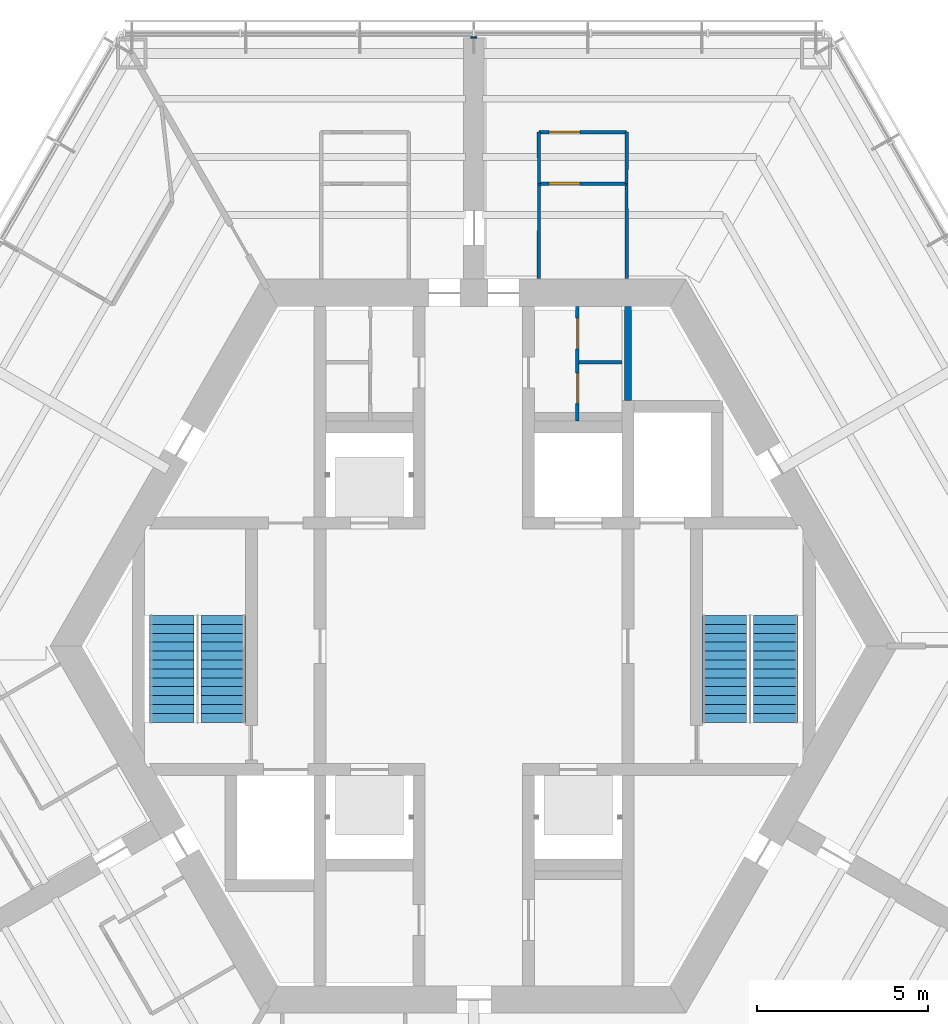
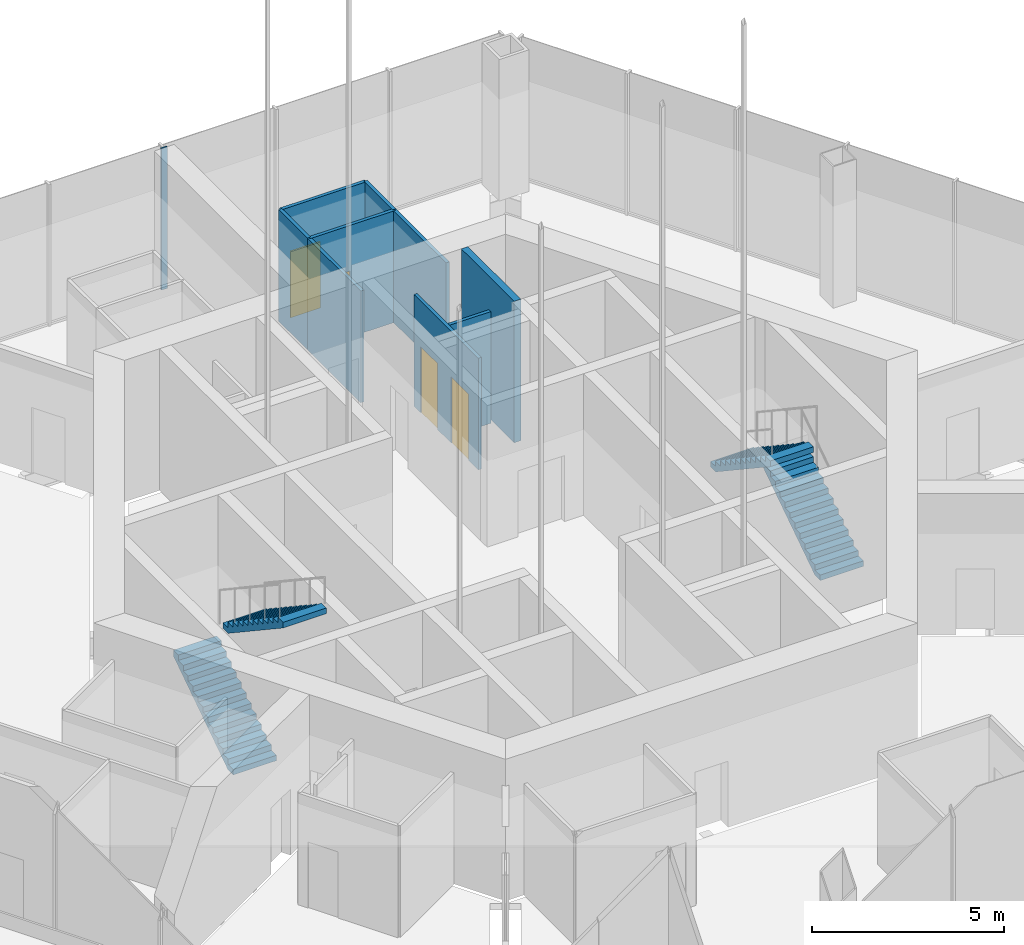
# One storey, part 12 of 17: 10 walls, 4 doors, 4 stair flights, 4 openings, 2 elements without a shape of their own.
"""IFC4 building model written with IfcOpenShell, lengths in metres."""

from ifc_helpers import new_model, si_unit, direction, frame, frame_2d, origin, place, context, subcontext, project, spatial, polyline, rectangle, outline, extrude, material, layer, layer_set, type_object, element, fill, aggregate, save


model = new_model("IFC4")

# Units and contexts
model_context = context("Model", 3, precision=1e-05, world=origin(), true_north=direction((0.0, 1.0)))
body_context = subcontext(model_context, "Body", "Model", "MODEL_VIEW")
ifc_project = project(units=[si_unit("LENGTHUNIT", "METRE"), si_unit("AREAUNIT", "SQUARE_METRE"), si_unit("VOLUMEUNIT", "CUBIC_METRE"), si_unit("PLANEANGLEUNIT", "RADIAN"), si_unit("MASSUNIT", "GRAM", prefix="KILO")], contexts=[model_context])

# Site, building, storey
site_placement = place(None, origin())
site = spatial("IfcSite", under=ifc_project, at=site_placement, CompositionType="ELEMENT")
building_placement = place(site_placement, origin())
building = spatial("IfcBuilding", under=site, at=building_placement, Name="Kasaneha Research Tower", CompositionType="ELEMENT")
storey_placement = place(building_placement, frame((0.0, 0.0, 208.300048828125)))
storey = spatial("IfcBuildingStorey", under=building, at=storey_placement, Name="L52", CompositionType="ELEMENT", Elevation=208.300048828125)

# Wall, openings, doors
ifc_material_1 = material(Name="Gypsum board on steel studs, one layer each side", Category="steel")
ifc_layer_1 = layer(ifc_material_1, 0.10009765625)
ifc_layer_set_1 = layer_set([ifc_layer_1], Name="Office partition 100")
wall_type_1 = type_object("IfcWallType", Name="Office partition 100", PredefinedType="PARTITIONING", material=ifc_layer_set_1)
wall_1_placement = place(storey_placement, frame((3.02490234375, 6.574951171875, 0.0), z_axis=(0.0, 0.0, 1.0), x_axis=(0.0, 1.0, 0.0)))
wall_1 = element("IfcWall", 1, at=wall_1_placement, inside=storey, type_object=wall_type_1, Name="Office partition TBF1 L52", PredefinedType="PARTITIONING", context=body_context, shape_type="SweptSolid", body=[
    extrude(rectangle(XDim=3.35009765625, YDim=0.10009765625, at=frame_2d((1.675048828125, 0.0))), origin(), (0.0, 0.0, 1.0), 3.550048828125),
])
opening_1_placement = place(wall_1_placement, frame((0.512451171875, 0.0, 0.0)))
opening_1 = element("IfcOpeningElement", 2, at=opening_1_placement, cuts=wall_1, Name="Opening L52-D22", PredefinedType="OPENING", context=body_context, shape_type="SweptSolid", body=[
    extrude(rectangle(XDim=0.89990234375, YDim=2.10009765625, at=frame_2d((0.449951171875, 1.050048828125))), frame((0.0, 0.06005859375, 0.0), z_axis=(0.0, -1.0, 0.0), x_axis=(1.0, 0.0, 0.0)), (0.0, 0.0, 1.0), 0.1201171875),
])
opening_2_placement = place(wall_1_placement, frame((2.112548828125, 0.0, 0.0)))
opening_2 = element("IfcOpeningElement", 3, at=opening_2_placement, cuts=wall_1, Name="Opening L52-D23", PredefinedType="OPENING", context=body_context, shape_type="SweptSolid", body=[
    extrude(rectangle(XDim=0.89990234375, YDim=2.10009765625, at=frame_2d((0.449951171875, 1.050048828125))), frame((0.0, 0.06005859375, 0.0), z_axis=(0.0, -1.0, 0.0), x_axis=(1.0, 0.0, 0.0)), (0.0, 0.0, 1.0), 0.1201171875),
])
ifc_material_2 = material(Name="Steel", Category="steel")
door_type = type_object("IfcDoorType", Name="Toilet lobby door FD30 900x2100", OperationType="NOTDEFINED", PredefinedType="DOOR", material=ifc_material_2)
door_1_placement = place(opening_1_placement, origin())
door_1 = element("IfcDoor", 4, at=door_1_placement, inside=storey, type_object=door_type, Name="Women's WC door L52-D22", OperationType="SINGLE_SWING_RIGHT", OverallHeight=2.10009765625, OverallWidth=0.89990234375, PredefinedType="DOOR", context=body_context, shape_type="SweptSolid", body=[
    extrude(rectangle(XDim=0.89990234375, YDim=2.10009765625, at=frame_2d((0.449951171875, 1.050048828125))), frame((0.0, 0.02490234375, 0.0), z_axis=(0.0, -1.0, 0.0), x_axis=(1.0, 0.0, 0.0)), (0.0, 0.0, 1.0), 0.050048828125),
])
fill(opening_1, door_1)
door_2_placement = place(opening_2_placement, origin())
door_2 = element("IfcDoor", 5, at=door_2_placement, inside=storey, type_object=door_type, Name="Staff WC door L52-D23", OperationType="SINGLE_SWING_RIGHT", OverallHeight=2.10009765625, OverallWidth=0.89990234375, PredefinedType="DOOR", context=body_context, shape_type="SweptSolid", body=[
    extrude(rectangle(XDim=0.89990234375, YDim=2.10009765625, at=frame_2d((0.449951171875, 1.050048828125))), frame((0.0, 0.02490234375, 0.0), z_axis=(0.0, -1.0, 0.0), x_axis=(1.0, 0.0, 0.0)), (0.0, 0.0, 1.0), 0.050048828125),
])
fill(opening_2, door_2)

# Wall
wall_2_placement = place(storey_placement, frame((3.074951171875, 8.300048828125, 0.0), z_axis=(0.0, 0.0, 1.0), x_axis=(1.0, 0.0, 0.0)))
element("IfcWall", 6, at=wall_2_placement, inside=storey, type_object=wall_type_1, Name="Office partition TBF2 L52", PredefinedType="PARTITIONING", context=body_context, shape_type="SweptSolid", body=[
    extrude(rectangle(XDim=1.25, YDim=0.10009765625, at=frame_2d((0.625, 0.0))), origin(), (0.0, 0.0, 1.0), 3.550048828125),
])

# Wall, opening, door
wall_3_placement = place(storey_placement, frame((1.89990234375, 13.52001953125, 0.0), z_axis=(0.0, 0.0, 1.0), x_axis=(1.0, 0.0, 0.0)))
wall_3 = element("IfcWall", 7, at=wall_3_placement, inside=storey, type_object=wall_type_1, Name="Office partition FAE01 L52", PredefinedType="PARTITIONING", context=body_context, shape_type="SweptSolid", body=[
    extrude(rectangle(XDim=2.565185546875, YDim=0.10009765625, at=frame_2d((1.28271484375, 0.0))), origin(), (0.0, 0.0, 1.0), 3.550048828125),
])
opening_3_placement = place(wall_3_placement, frame((0.300048828125, 0.0, 0.0)))
opening_3 = element("IfcOpeningElement", 8, at=opening_3_placement, cuts=wall_3, Name="Opening L52-D27", PredefinedType="OPENING", context=body_context, shape_type="SweptSolid", body=[
    extrude(rectangle(XDim=0.89990234375, YDim=2.10009765625, at=frame_2d((0.449951171875, 1.050048828125))), frame((0.0, 0.06005859375, 0.0), z_axis=(0.0, -1.0, 0.0), x_axis=(1.0, 0.0, 0.0)), (0.0, 0.0, 1.0), 0.1201171875),
])
door_3_placement = place(opening_3_placement, origin())
door_3 = element("IfcDoor", 9, at=door_3_placement, inside=storey, type_object=door_type, Name="Women's WC door L52-D27", OperationType="SINGLE_SWING_LEFT", OverallHeight=2.10009765625, OverallWidth=0.89990234375, PredefinedType="DOOR", context=body_context, shape_type="SweptSolid", body=[
    extrude(rectangle(XDim=0.89990234375, YDim=2.10009765625, at=frame_2d((0.449951171875, 1.050048828125))), frame((0.0, 0.02490234375, 0.0), z_axis=(0.0, -1.0, 0.0), x_axis=(1.0, 0.0, 0.0)), (0.0, 0.0, 1.0), 0.050048828125),
])
fill(opening_3, door_3)

# Walls
for number, where, z_axis, x_axis, name in (
    (10, (1.89990234375, 10.7451171875, 0.0), (0.0, 0.0, 1.0), (0.001668713644, 0.999998607696, 0.0), "Office partition FAE02 L52"),
    (11, (4.46044921875, 13.52490234375, 0.0), (0.0, 0.0, 1.0), (0.001668713644, -0.999998607696, 0.0), "Office partition FAE03 L52"),
):
    element("IfcWall", number, at=place(storey_placement, frame(where, z_axis=z_axis, x_axis=x_axis)), inside=storey, type_object=wall_type_1, Name=name, PredefinedType="PARTITIONING", context=body_context, shape_type="SweptSolid", body=[
        extrude(rectangle(XDim=2.77978515625, YDim=0.10009765625, at=frame_2d((1.389892578125, 0.0))), origin(), (0.0, 0.0, 1.0), 3.550048828125),
    ])

# Wall, opening, door
wall_4_placement = place(storey_placement, frame((1.89990234375, 15.02490234375, 0.0), z_axis=(0.0, 0.0, 1.0), x_axis=(1.0, 0.0, 0.0)))
wall_4 = element("IfcWall", 12, at=wall_4_placement, inside=storey, type_object=wall_type_1, Name="Office partition FAE04 L52", PredefinedType="PARTITIONING", context=body_context, shape_type="SweptSolid", body=[
    extrude(rectangle(XDim=2.565185546875, YDim=0.10009765625, at=frame_2d((1.28271484375, 0.0))), origin(), (0.0, 0.0, 1.0), 3.550048828125),
])
opening_4_placement = place(wall_4_placement, frame((0.300048828125, 0.0, 0.0)))
opening_4 = element("IfcOpeningElement", 13, at=opening_4_placement, cuts=wall_4, Name="Opening L52-D28", PredefinedType="OPENING", context=body_context, shape_type="SweptSolid", body=[
    extrude(rectangle(XDim=0.89990234375, YDim=2.10009765625, at=frame_2d((0.449951171875, 1.050048828125))), frame((0.0, 0.06005859375, 0.0), z_axis=(0.0, -1.0, 0.0), x_axis=(1.0, 0.0, 0.0)), (0.0, 0.0, 1.0), 0.1201171875),
])
door_4_placement = place(opening_4_placement, origin())
door_4 = element("IfcDoor", 14, at=door_4_placement, inside=storey, type_object=door_type, Name="Toilet lobby door L52-D28", OperationType="SINGLE_SWING_LEFT", OverallHeight=2.10009765625, OverallWidth=0.89990234375, PredefinedType="DOOR", context=body_context, shape_type="SweptSolid", body=[
    extrude(rectangle(XDim=0.89990234375, YDim=2.10009765625, at=frame_2d((0.449951171875, 1.050048828125))), frame((0.0, 0.02490234375, 0.0), z_axis=(0.0, -1.0, 0.0), x_axis=(1.0, 0.0, 0.0)), (0.0, 0.0, 1.0), 0.050048828125),
])
fill(opening_4, door_4)

# Walls
for number, where, z_axis, x_axis, name in (
    (15, (1.904541015625, 13.52490234375, 0.0), (0.0, 0.0, 1.0), (-0.00309243313, 0.999995218417, 0.0), "Office partition FAE05 L52"),
    (16, (4.465087890625, 15.02490234375, 0.0), (0.0, 0.0, 1.0), (-0.00309243313, -0.999995218417, 0.0), "Office partition FAE06 L52"),
):
    element("IfcWall", number, at=place(storey_placement, frame(where, z_axis=z_axis, x_axis=x_axis)), inside=storey, type_object=wall_type_1, Name=name, PredefinedType="PARTITIONING", context=body_context, shape_type="SweptSolid", body=[
        extrude(rectangle(XDim=1.5, YDim=0.10009765625, at=frame_2d((0.75, 0.0))), origin(), (0.0, 0.0, 1.0), 3.550048828125),
    ])
ifc_material_3 = material(Name="Concrete block", Category="concrete")
ifc_layer_2 = layer(ifc_material_3, 0.199951171875)
ifc_layer_set_2 = layer_set([ifc_layer_2], Name="Riser enclosure wall 200")
wall_type_2 = type_object("IfcWallType", Name="Riser enclosure wall 200", PredefinedType="STANDARD", material=ifc_layer_set_2)
wall_5_placement = place(storey_placement, frame((4.5, 7.175048828125, 0.0), z_axis=(0.0, 0.0, 1.0), x_axis=(0.0, 1.0, 0.0)))
element("IfcWall", 17, at=wall_5_placement, inside=storey, type_object=wall_type_2, Name="Riser enclosure wall L52", PredefinedType="STANDARD", context=body_context, shape_type="SweptSolid", body=[
    extrude(rectangle(XDim=2.75, YDim=0.199951171875, at=frame_2d((1.375, 0.0))), origin(), (0.0, 0.0, 1.0), 4.5),
])
ifc_material_4 = material(Name="Gypsum board on steel studs, two layers each side", Category="steel")
ifc_layer_3 = layer(ifc_material_4, 0.175048828125)
ifc_layer_set_3 = layer_set([ifc_layer_3], Name="Tenancy fire partition 175")
wall_type_3 = type_object("IfcWallType", Name="Tenancy fire partition 175", PredefinedType="PARTITIONING", material=ifc_layer_set_3)
wall_6_placement = place(storey_placement, frame((0.0, 17.7705078125, 0.0), z_axis=(0.0, 0.0, 1.0), x_axis=(0.0, 1.0, 0.0)))
element("IfcWall", 18, at=wall_6_placement, inside=storey, type_object=wall_type_3, Name="Spine wall closer SW4-600 L52", PredefinedType="PARTITIONING", context=body_context, shape_type="SweptSolid", body=[
    extrude(rectangle(XDim=0.044921875, YDim=0.175048828125, at=frame_2d((0.0224609375, 0.0))), origin(), (0.0, 0.0, 1.0), 4.5),
])

# Stair, stair flights
ifc_material_5 = material(Name="Concrete Fc24", Category="concrete")
stair_type = type_object("IfcStairType", Name="Half-turn stair 26 risers", PredefinedType="HALF_TURN_STAIR", material=ifc_material_5)
stair_1_placement = place(storey_placement, origin())
stair_1 = element("IfcStair", 19, at=stair_1_placement, inside=storey, type_object=stair_type, Name="Stair 1 L52", PredefinedType="HALF_TURN_STAIR")
ifc_material_6 = material(Name="Concrete Fc24", Category="concrete")
stair_flight_type = type_object("IfcStairFlightType", Name="Stair flight 13 risers 173.1", PredefinedType="STRAIGHT", material=ifc_material_6)
stair_flight_1_placement = place(storey_placement, frame((8.824951171875, -2.22509765625, 0.0), z_axis=(0.0, 0.0, 1.0), x_axis=(0.0, 1.0, 0.0)))
stair_flight_1 = element("IfcStairFlight", 20, at=stair_flight_1_placement, type_object=stair_flight_type, Name="ST1-26R flight 1", NumberOfRisers=13, NumberOfTreads=12, PredefinedType="STRAIGHT", RiserHeight=0.173076923, TreadLength=0.26, context=body_context, shape_type="SweptSolid", body=[
    extrude(outline(polyline([(0.0, 0.0), (0.0, 0.173095703125), (0.260009765625, 0.173095703125), (0.260009765625, 0.34619140625), (0.52001953125, 0.34619140625), (0.52001953125, 0.519287109375), (0.780029296875, 0.519287109375), (0.780029296875, 0.6923828125), (1.0400390625, 0.6923828125), (1.0400390625, 0.865478515625), (1.300048828125, 0.865478515625), (1.300048828125, 1.03857421875), (1.56005859375, 1.03857421875), (1.56005859375, 1.21142578125), (1.820068359375, 1.21142578125), (1.820068359375, 1.384521484375), (2.080078125, 1.384521484375), (2.080078125, 1.5576171875), (2.340087890625, 1.5576171875), (2.340087890625, 1.730712890625), (2.60009765625, 1.730712890625), (2.60009765625, 1.90380859375), (2.860107421875, 1.90380859375), (2.860107421875, 2.076904296875), (3.1201171875, 2.076904296875), (3.1201171875, 2.25), (3.1201171875, 1.896728515625), (0.2705078125, 0.0), (0.0, 0.0)])), frame((0.0, 0.64990234375, 0.0), z_axis=(0.0, -1.0, 0.0), x_axis=(1.0, 0.0, 0.0)), (0.0, 0.0, 1.0), 1.300048828125),
])
stair_flight_2_placement = place(storey_placement, frame((7.324951171875, 0.89501953125, 2.25), z_axis=(0.0, 0.0, 1.0), x_axis=(0.0, -1.0, 0.0)))
stair_flight_2 = element("IfcStairFlight", 21, at=stair_flight_2_placement, type_object=stair_flight_type, Name="ST1-26R flight 2", NumberOfRisers=13, NumberOfTreads=12, PredefinedType="STRAIGHT", RiserHeight=0.173076923, TreadLength=0.26, context=body_context, shape_type="SweptSolid", body=[
    extrude(outline(polyline([(0.0, 0.0), (0.0, 0.173095703125), (0.260009765625, 0.173095703125), (0.260009765625, 0.34619140625), (0.52001953125, 0.34619140625), (0.52001953125, 0.519287109375), (0.780029296875, 0.519287109375), (0.780029296875, 0.6923828125), (1.0400390625, 0.6923828125), (1.0400390625, 0.865478515625), (1.300048828125, 0.865478515625), (1.300048828125, 1.03857421875), (1.56005859375, 1.03857421875), (1.56005859375, 1.21142578125), (1.820068359375, 1.21142578125), (1.820068359375, 1.384521484375), (2.080078125, 1.384521484375), (2.080078125, 1.5576171875), (2.340087890625, 1.5576171875), (2.340087890625, 1.730712890625), (2.60009765625, 1.730712890625), (2.60009765625, 1.90380859375), (2.860107421875, 1.90380859375), (2.860107421875, 2.076904296875), (3.1201171875, 2.076904296875), (3.1201171875, 2.25), (3.1201171875, 1.896728515625), (0.2705078125, 0.0), (0.0, 0.0)])), frame((0.0, 0.64990234375, 0.0), z_axis=(0.0, -1.0, 0.0), x_axis=(1.0, 0.0, 0.0)), (0.0, 0.0, 1.0), 1.300048828125),
])
aggregate(stair_1, [stair_flight_1, stair_flight_2])

stair_2_placement = place(storey_placement, origin())
stair_2 = element("IfcStair", 22, at=stair_2_placement, inside=storey, type_object=stair_type, Name="Stair 2 L52", PredefinedType="HALF_TURN_STAIR")
stair_flight_3_placement = place(storey_placement, frame((-8.824951171875, -2.22509765625, 0.0), z_axis=(0.0, 0.0, 1.0), x_axis=(0.0, 1.0, 0.0)))
stair_flight_3 = element("IfcStairFlight", 23, at=stair_flight_3_placement, type_object=stair_flight_type, Name="ST2-26R flight 1", NumberOfRisers=13, NumberOfTreads=12, PredefinedType="STRAIGHT", RiserHeight=0.173076923, TreadLength=0.26, context=body_context, shape_type="SweptSolid", body=[
    extrude(outline(polyline([(0.0, 0.0), (0.0, 0.173095703125), (0.260009765625, 0.173095703125), (0.260009765625, 0.34619140625), (0.52001953125, 0.34619140625), (0.52001953125, 0.519287109375), (0.780029296875, 0.519287109375), (0.780029296875, 0.6923828125), (1.0400390625, 0.6923828125), (1.0400390625, 0.865478515625), (1.300048828125, 0.865478515625), (1.300048828125, 1.03857421875), (1.56005859375, 1.03857421875), (1.56005859375, 1.21142578125), (1.820068359375, 1.21142578125), (1.820068359375, 1.384521484375), (2.080078125, 1.384521484375), (2.080078125, 1.5576171875), (2.340087890625, 1.5576171875), (2.340087890625, 1.730712890625), (2.60009765625, 1.730712890625), (2.60009765625, 1.90380859375), (2.860107421875, 1.90380859375), (2.860107421875, 2.076904296875), (3.1201171875, 2.076904296875), (3.1201171875, 2.25), (3.1201171875, 1.896728515625), (0.2705078125, 0.0), (0.0, 0.0)])), frame((0.0, 0.64990234375, 0.0), z_axis=(0.0, -1.0, 0.0), x_axis=(1.0, 0.0, 0.0)), (0.0, 0.0, 1.0), 1.300048828125),
])
stair_flight_4_placement = place(storey_placement, frame((-7.324951171875, 0.89501953125, 2.25), z_axis=(0.0, 0.0, 1.0), x_axis=(0.0, -1.0, 0.0)))
stair_flight_4 = element("IfcStairFlight", 24, at=stair_flight_4_placement, type_object=stair_flight_type, Name="ST2-26R flight 2", NumberOfRisers=13, NumberOfTreads=12, PredefinedType="STRAIGHT", RiserHeight=0.173076923, TreadLength=0.26, context=body_context, shape_type="SweptSolid", body=[
    extrude(outline(polyline([(0.0, 0.0), (0.0, 0.173095703125), (0.260009765625, 0.173095703125), (0.260009765625, 0.34619140625), (0.52001953125, 0.34619140625), (0.52001953125, 0.519287109375), (0.780029296875, 0.519287109375), (0.780029296875, 0.6923828125), (1.0400390625, 0.6923828125), (1.0400390625, 0.865478515625), (1.300048828125, 0.865478515625), (1.300048828125, 1.03857421875), (1.56005859375, 1.03857421875), (1.56005859375, 1.21142578125), (1.820068359375, 1.21142578125), (1.820068359375, 1.384521484375), (2.080078125, 1.384521484375), (2.080078125, 1.5576171875), (2.340087890625, 1.5576171875), (2.340087890625, 1.730712890625), (2.60009765625, 1.730712890625), (2.60009765625, 1.90380859375), (2.860107421875, 1.90380859375), (2.860107421875, 2.076904296875), (3.1201171875, 2.076904296875), (3.1201171875, 2.25), (3.1201171875, 1.896728515625), (0.2705078125, 0.0), (0.0, 0.0)])), frame((0.0, 0.64990234375, 0.0), z_axis=(0.0, -1.0, 0.0), x_axis=(1.0, 0.0, 0.0)), (0.0, 0.0, 1.0), 1.300048828125),
])
aggregate(stair_2, [stair_flight_3, stair_flight_4])

save(model, "model.ifc")
